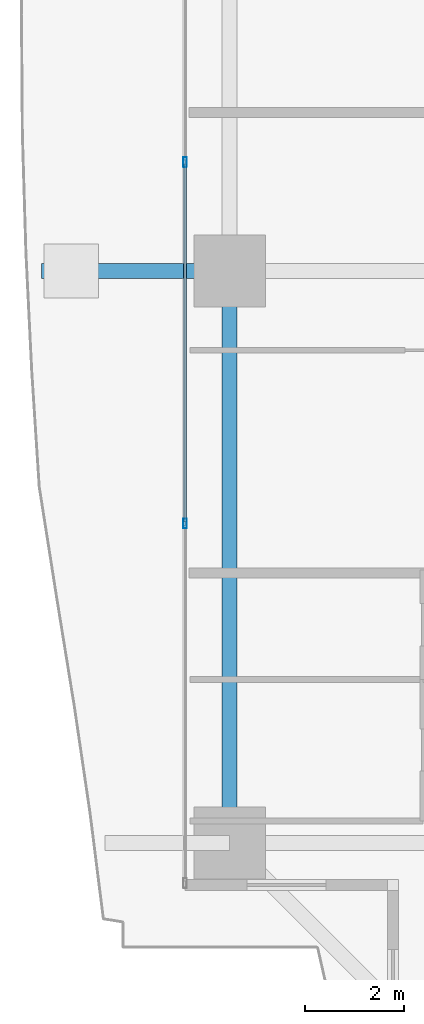
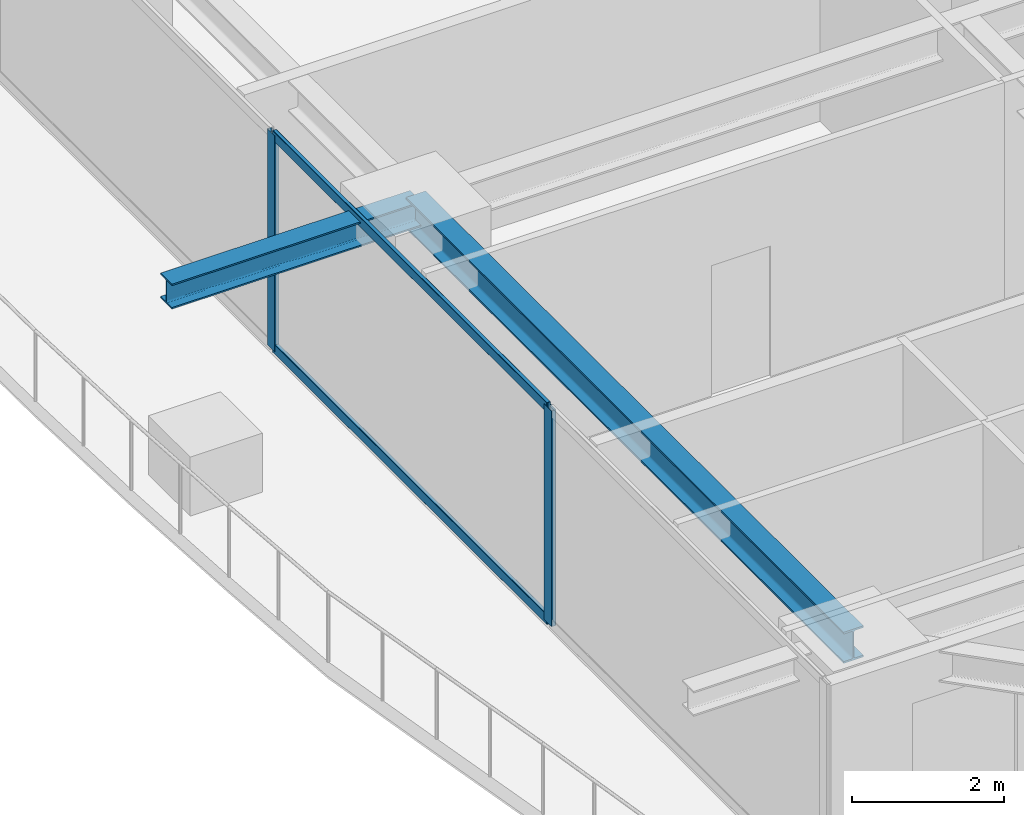
# One storey, part 6 of 35: 4 members, 2 beams, 1 element without a shape of its own.
"""IFC4 building model written with IfcOpenShell, lengths in metres."""

from ifc_helpers import new_model, si_unit, direction, frame, origin, origin_2d, place, context, subcontext, project, spatial, hollow_rectangle, i_section, extrude, source, transform, mapped, material, layer, layer_set, material_profile, profile_set, type_object, element, aggregate, save


model = new_model("IFC4")

# Units and contexts
model_context = context("Model", 3, precision=1e-05, world=origin(), true_north=direction((0.0, 1.0)))
body_context = subcontext(model_context, "Body", "Model", "MODEL_VIEW")
ifc_project = project(units=[si_unit("LENGTHUNIT", "METRE"), si_unit("AREAUNIT", "SQUARE_METRE"), si_unit("VOLUMEUNIT", "CUBIC_METRE"), si_unit("PLANEANGLEUNIT", "RADIAN"), si_unit("MASSUNIT", "GRAM", prefix="KILO")], contexts=[model_context])

# Site, building, storey
site_placement = place(None, origin())
site = spatial("IfcSite", under=ifc_project, at=site_placement, CompositionType="ELEMENT")
building_placement = place(site_placement, origin())
building = spatial("IfcBuilding", under=site, at=building_placement, Name="Serunith Strait Residences", CompositionType="ELEMENT")
storey_placement = place(building_placement, frame((0.0, 0.0, 71.699951171875)))
storey = spatial("IfcBuildingStorey", under=building, at=storey_placement, Name="L17", CompositionType="ELEMENT", Elevation=71.699951171875)

# Beams
ifc_material_1 = material(Name="Steel S355J2", Category="steel")
ifc_material_profile_1 = material_profile(ifc_material_1, i_section(OverallWidth=0.300048828125, OverallDepth=0.5, WebThickness=0.014404296875, FlangeThickness=0.028076171875, FilletRadius=0.027099609375, at=origin_2d()), Name="HEB 500")
ifc_profile_set_1 = profile_set([ifc_material_profile_1], Name="Steel S355J2")
beam_type_1 = type_object("IfcBeamType", Name="BM-HEB500", PredefinedType="BEAM", material=ifc_profile_set_1)
shared_shape_1 = source(origin(), body_context, "Body", "SweptSolid", [
    extrude(i_section(OverallWidth=0.300048828125, OverallDepth=0.5, WebThickness=0.014404296875, FlangeThickness=0.028076171875, FilletRadius=0.027099609375, at=origin_2d()), origin(), (0.0, 0.0, 1.0), 11.550048828125),
])
beam_1_placement = place(storey_placement, frame((6.89990234375, 21.0, 3.237060546875), z_axis=(0.0, -1.0, 0.0), x_axis=(1.0, 0.0, 0.0)))
element("IfcBeam", 1, at=beam_1_placement, inside=storey, type_object=beam_type_1, Name="L17 Perimeter Ring Beam 15", PredefinedType="BEAM", context=body_context, shape_type="MappedRepresentation", body=[
    mapped(shared_shape_1, transform((0.0, 0.0, 0.0), scale=1.0)),
])
ifc_material_profile_2 = material_profile(ifc_material_1, i_section(OverallWidth=0.300048828125, OverallDepth=0.39990234375, WebThickness=0.013427734375, FlangeThickness=0.02392578125, FilletRadius=0.027099609375, at=origin_2d()), Name="HEB 400")
ifc_profile_set_2 = profile_set([ifc_material_profile_2], Name="Steel S355J2")
beam_type_2 = type_object("IfcBeamType", Name="BM-HEB400", PredefinedType="BEAM", material=ifc_profile_set_2)
shared_shape_2 = source(origin(), body_context, "Body", "SweptSolid", [
    extrude(i_section(OverallWidth=0.300048828125, OverallDepth=0.39990234375, WebThickness=0.013427734375, FlangeThickness=0.02392578125, FilletRadius=0.027099609375, at=origin_2d()), origin(), (0.0, 0.0, 1.0), 3.7998046875),
])
beam_2_placement = place(storey_placement, frame((6.89990234375, 21.0, 3.257080078125), z_axis=(-1.0, 0.0, 0.0), x_axis=(0.0, -1.0, 0.0)))
element("IfcBeam", 2, at=beam_2_placement, inside=storey, type_object=beam_type_2, Name="L18 Cantilevered Balcony Rib TC-W2", PredefinedType="BEAM", context=body_context, shape_type="MappedRepresentation", body=[
    mapped(shared_shape_2, transform((0.0, 0.0, 0.0), scale=1.0)),
])

# Curtain wall, members
ifc_material_2 = material(Name="Pale-Champagne Anodised Aluminium", Category="aluminium")
ifc_layer = layer(ifc_material_2, 0.199951171875, Name="Pale-Champagne Anodised Aluminium")
ifc_layer_set = layer_set([ifc_layer], Name="Pale-Champagne Anodised Aluminium")
curtain_wall_type = type_object("IfcCurtainWallType", Name="CW-SYS1", PredefinedType="NOTDEFINED", material=ifc_layer_set)
curtain_wall_placement = place(storey_placement, origin())
curtain_wall = element("IfcCurtainWall", 3, at=curtain_wall_placement, inside=storey, type_object=curtain_wall_type, Name="L17 W Unitised Fritted Curtain Wall", PredefinedType="NOTDEFINED")
ifc_material_profile_3 = material_profile(ifc_material_2, hollow_rectangle(XDim=0.070068359375, YDim=0.199951171875, WallThickness=0.00390625, InnerFilletRadius=0.006103515625, OuterFilletRadius=0.010009765625, at=origin_2d()), Name="ALU 200x70x4")
ifc_profile_set_3 = profile_set([ifc_material_profile_3], Name="Pale-Champagne Anodised Aluminium")
member_type_1 = type_object("IfcMemberType", Name="CW-SYS1-MULL", PredefinedType="MULLION", material=ifc_profile_set_3)
shared_shape_3 = source(origin(), body_context, "Body", "SweptSolid", [
    extrude(hollow_rectangle(XDim=0.070068359375, YDim=0.199951171875, WallThickness=0.00390625, InnerFilletRadius=0.006103515625, OuterFilletRadius=0.010009765625, at=origin_2d()), origin(), (0.0, 0.0, 1.0), 3.47509765625),
])
member_1_placement = place(storey_placement, frame((6.0, 23.199951171875, 0.0), z_axis=(0.0, 0.0, 1.0), x_axis=(1.0, 0.0, 0.0)))
member_1 = element("IfcMember", 4, at=member_1_placement, type_object=member_type_1, Name="CW-1 mullion 2", PredefinedType="MULLION", context=body_context, shape_type="MappedRepresentation", body=[
    mapped(shared_shape_3, transform((0.0, 0.0, 0.0), scale=1.0)),
])
member_2_placement = place(storey_placement, frame((6.0, 15.89990234375, 0.0), z_axis=(0.0, 0.0, 1.0), x_axis=(1.0, 0.0, 0.0)))
member_2 = element("IfcMember", 5, at=member_2_placement, type_object=member_type_1, Name="CW-1 mullion 3", PredefinedType="MULLION", context=body_context, shape_type="MappedRepresentation", body=[
    mapped(shared_shape_3, transform((0.0, 0.0, 0.0), scale=1.0)),
])
ifc_material_profile_4 = material_profile(ifc_material_2, hollow_rectangle(XDim=0.06005859375, YDim=0.159912109375, WallThickness=0.00341796875, InnerFilletRadius=0.00537109375, OuterFilletRadius=0.0087890625, at=origin_2d()), Name="ALU 160x60x3.5")
ifc_profile_set_4 = profile_set([ifc_material_profile_4], Name="Pale-Champagne Anodised Aluminium")
member_type_2 = type_object("IfcMemberType", Name="CW-SYS1-TRAN", PredefinedType="USERDEFINED", material=ifc_profile_set_4)
shared_shape_4 = source(origin(), body_context, "Body", "SweptSolid", [
    extrude(hollow_rectangle(XDim=0.06005859375, YDim=0.159912109375, WallThickness=0.00341796875, InnerFilletRadius=0.00537109375, OuterFilletRadius=0.0087890625, at=origin_2d()), origin(), (0.0, 0.0, 1.0), 7.22998046875),
])
member_3_placement = place(storey_placement, frame((6.0, 23.1650390625, 0.030029296875), z_axis=(0.0, -1.0, 0.0), x_axis=(1.0, 0.0, 0.0)))
member_3 = element("IfcMember", 6, at=member_3_placement, type_object=member_type_2, Name="CW-1 transom 2.1", ObjectType="TRANSOM", PredefinedType="USERDEFINED", context=body_context, shape_type="MappedRepresentation", body=[
    mapped(shared_shape_4, transform((0.0, 0.0, 0.0), scale=1.0)),
])
member_4_placement = place(storey_placement, frame((6.0, 23.1650390625, 3.445068359375), z_axis=(0.0, -1.0, 0.0), x_axis=(1.0, 0.0, 0.0)))
member_4 = element("IfcMember", 7, at=member_4_placement, type_object=member_type_2, Name="CW-1 transom 2.2", ObjectType="TRANSOM", PredefinedType="USERDEFINED", context=body_context, shape_type="MappedRepresentation", body=[
    mapped(shared_shape_4, transform((0.0, 0.0, 0.0), scale=1.0)),
])
aggregate(curtain_wall, [member_1, member_2, member_3, member_4])

save(model, "model.ifc")
